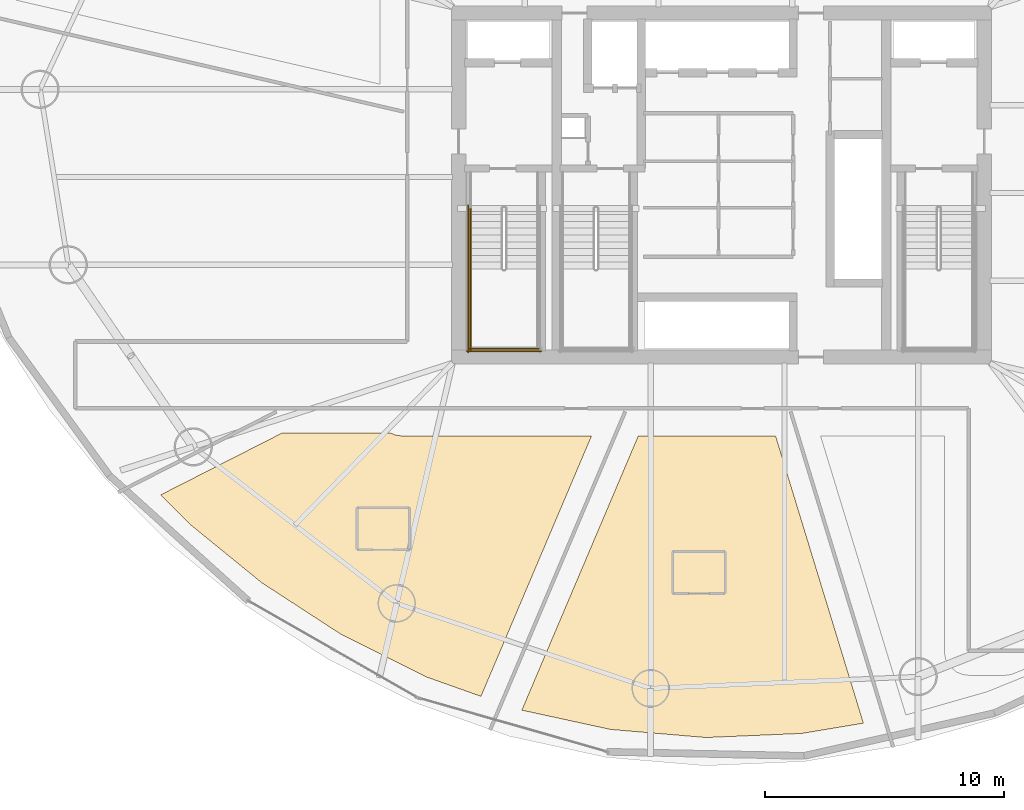
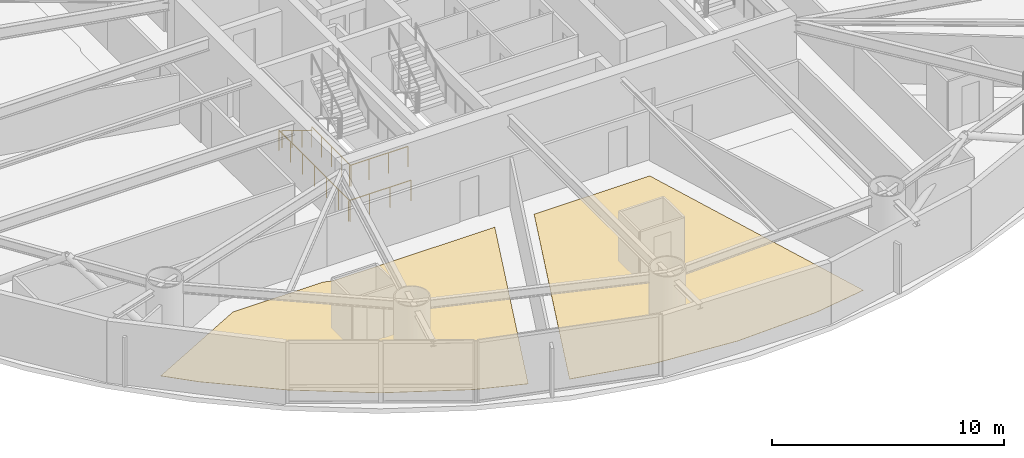
# One storey, part 20 of 23: 5 railings, 2 coverings.
"""IFC4 building model written with IfcOpenShell, lengths in metres."""

from ifc_helpers import new_model, si_unit, direction, frame, origin, origin_2d, place, context, subcontext, project, spatial, polyline, circle, outline, extrude, material, layer, layer_set, type_object, element, save


model = new_model("IFC4")

# Units and contexts
model_context = context("Model", 3, precision=1e-05, world=origin(), true_north=direction((0.0, 1.0)))
body_context = subcontext(model_context, "Body", "Model", "MODEL_VIEW")
ifc_project = project(units=[si_unit("LENGTHUNIT", "METRE"), si_unit("AREAUNIT", "SQUARE_METRE"), si_unit("VOLUMEUNIT", "CUBIC_METRE"), si_unit("PLANEANGLEUNIT", "RADIAN"), si_unit("MASSUNIT", "GRAM", prefix="KILO")], contexts=[model_context])

# Site, building, storey
site_placement = place(None, origin())
site = spatial("IfcSite", under=ifc_project, at=site_placement, CompositionType="ELEMENT")
building_placement = place(site_placement, origin())
building = spatial("IfcBuilding", under=site, at=building_placement, Name="Bramvorn Convention Spire", CompositionType="ELEMENT")
storey_placement = place(building_placement, frame((0.0, 0.0, 69.39990234375)))
storey = spatial("IfcBuildingStorey", under=building, at=storey_placement, Name="L15", CompositionType="ELEMENT", Elevation=69.39990234375)

# Coverings
ifc_material_1 = material(Name="Solution-Dyed Wool Broadloom Hospitality Carpet", Category="textile")
ifc_layer = layer(ifc_material_1, 0.014892578125)
ifc_layer_set = layer_set([ifc_layer], Name="Solution-Dyed Wool Broadloom Hospitality Carpet - FLR-CARPET-15")
covering_type = type_object("IfcCoveringType", Name="FLR-CARPET-15", PredefinedType="FLOORING", material=ifc_layer_set)
covering_1_placement = place(storey_placement, origin())
element("IfcCovering", 1, at=covering_1_placement, inside=storey, type_object=covering_type, Name="Hotel Suite 1506 wool broadloom carpet", PredefinedType="FLOORING", context=body_context, shape_type="SweptSolid", body=[
    extrude(outline(polyline([(25.663330078125, 5.404541015625), (27.937255859375, 4.596923828125), (32.565185546875, 15.5), (24.60009765625, 15.5), (24.338623046875, 15.538818359375), (24.13623046875, 15.6298828125), (19.630126953125, 15.6298828125), (14.525390625, 13.029052734375), (15.740966796875, 11.81201171875), (18.75830078125, 9.353759765625), (22.083251953125, 7.190673828125), (25.663330078125, 5.404541015625)])), origin(), (0.0, 0.0, 1.0), 0.01513671875),
])
covering_2_placement = place(storey_placement, origin())
element("IfcCovering", 2, at=covering_2_placement, inside=storey, type_object=covering_type, Name="Hotel Suite 1507 wool broadloom carpet", PredefinedType="FLOORING", context=body_context, shape_type="SweptSolid", body=[
    extrude(outline(polyline([(33.3603515625, 3.211181640625), (37.355712890625, 2.872802734375), (41.362060546875, 3.044189453125), (43.946044921875, 3.472900390625), (40.26904296875, 15.5), (34.520751953125, 15.5), (29.64697265625, 4.01806640625), (33.3603515625, 3.211181640625)])), origin(), (0.0, 0.0, 1.0), 0.01513671875),
])

# Railings
ifc_material_2 = material(Name="Painted Steel Balustrade & Guardrail", Category="steel")
railing_type_1 = type_object("IfcRailingType", Name="RL-STAIR-GUARD-1100", PredefinedType="GUARDRAIL", material=ifc_material_2)
railing_1_placement = place(storey_placement, frame((27.5, 22.485107421875, 1.75)))
element("IfcRailing", 3, at=railing_1_placement, inside=storey, type_object=railing_type_1, Name="L15 ST1 stair guard 3", PredefinedType="GUARDRAIL", context=body_context, shape_type="SweptSolid", body=[
    extrude(circle(Radius=0.02392578125, at=origin_2d()), frame((0.0, 0.0, 1.076171875), z_axis=(0.0, -1.0, 0.0), x_axis=(1.0, 0.0, 0.0)), (0.0, 0.0, 1.0), 3.385009765625),
    extrude(circle(Radius=0.02099609375, at=origin_2d()), origin(), (0.0, 0.0, 1.0), 1.052001953125),
    extrude(circle(Radius=0.02099609375, at=origin_2d()), frame((0.0, -0.84619140625, 0.0)), (0.0, 0.0, 1.0), 1.052001953125),
    extrude(circle(Radius=0.02099609375, at=origin_2d()), frame((0.0, -1.6923828125, 0.0)), (0.0, 0.0, 1.0), 1.052001953125),
    extrude(circle(Radius=0.02099609375, at=origin_2d()), frame((0.0, -2.538818359375, 0.0)), (0.0, 0.0, 1.0), 1.052001953125),
    extrude(circle(Radius=0.02099609375, at=origin_2d()), frame((0.0, -3.385009765625, 0.0)), (0.0, 0.0, 1.0), 1.052001953125),
])
railing_2_placement = place(storey_placement, frame((27.449951171875, 19.14990234375, 1.75)))
element("IfcRailing", 4, at=railing_2_placement, inside=storey, type_object=railing_type_1, Name="L15 ST1 stair guard 5", PredefinedType="GUARDRAIL", context=body_context, shape_type="SweptSolid", body=[
    extrude(circle(Radius=0.02392578125, at=origin_2d()), frame((0.0, 0.0, 1.076171875), z_axis=(1.0, 0.0, 0.0), x_axis=(0.0, 1.0, 0.0)), (0.0, 0.0, 1.0), 2.900146484375),
    extrude(circle(Radius=0.02099609375, at=origin_2d()), origin(), (0.0, 0.0, 1.0), 1.052001953125),
    extrude(circle(Radius=0.02099609375, at=origin_2d()), frame((0.966796875, 0.0, 0.0)), (0.0, 0.0, 1.0), 1.052001953125),
    extrude(circle(Radius=0.02099609375, at=origin_2d()), frame((1.933349609375, 0.0, 0.0)), (0.0, 0.0, 1.0), 1.052001953125),
    extrude(circle(Radius=0.02099609375, at=origin_2d()), frame((2.900146484375, 0.0, 0.0)), (0.0, 0.0, 1.0), 1.052001953125),
])
railing_3_placement = place(storey_placement, frame((27.39990234375, 25.14990234375, 0.0)))
element("IfcRailing", 5, at=railing_3_placement, inside=storey, type_object=railing_type_1, Name="L15 ST1 stair guard 10", PredefinedType="GUARDRAIL", context=body_context, shape_type="SweptSolid", body=[
    extrude(circle(Radius=0.02392578125, at=origin_2d()), frame((0.0, 0.0, 1.076171875), z_axis=(0.0, -1.0, 0.0), x_axis=(1.0, 0.0, 0.0)), (0.0, 0.0, 1.0), 6.14990234375),
    extrude(circle(Radius=0.02099609375, at=origin_2d()), origin(), (0.0, 0.0, 1.0), 1.052001953125),
    extrude(circle(Radius=0.02099609375, at=origin_2d()), frame((0.0, -1.02490234375, 0.0)), (0.0, 0.0, 1.0), 1.052001953125),
    extrude(circle(Radius=0.02099609375, at=origin_2d()), frame((0.0, -2.050048828125, 0.0)), (0.0, 0.0, 1.0), 1.052001953125),
    extrude(circle(Radius=0.02099609375, at=origin_2d()), frame((0.0, -3.074951171875, 0.0)), (0.0, 0.0, 1.0), 1.052001953125),
    extrude(circle(Radius=0.02099609375, at=origin_2d()), frame((0.0, -4.099853515625, 0.0)), (0.0, 0.0, 1.0), 1.052001953125),
    extrude(circle(Radius=0.02099609375, at=origin_2d()), frame((0.0, -5.125, 0.0)), (0.0, 0.0, 1.0), 1.052001953125),
    extrude(circle(Radius=0.02099609375, at=origin_2d()), frame((0.0, -6.14990234375, 0.0)), (0.0, 0.0, 1.0), 1.052001953125),
])
railing_4_placement = place(storey_placement, frame((27.35009765625, 19.050048828125, 0.0)))
element("IfcRailing", 6, at=railing_4_placement, inside=storey, type_object=railing_type_1, Name="L15 ST1 stair guard 12", PredefinedType="GUARDRAIL", context=body_context, shape_type="SweptSolid", body=[
    extrude(circle(Radius=0.02392578125, at=origin_2d()), frame((0.0, 0.0, 1.076171875), z_axis=(1.0, 0.0, 0.0), x_axis=(0.0, 1.0, 0.0)), (0.0, 0.0, 1.0), 3.099853515625),
    extrude(circle(Radius=0.02099609375, at=origin_2d()), origin(), (0.0, 0.0, 1.0), 1.052001953125),
    extrude(circle(Radius=0.02099609375, at=origin_2d()), frame((1.033203125, 0.0, 0.0)), (0.0, 0.0, 1.0), 1.052001953125),
    extrude(circle(Radius=0.02099609375, at=origin_2d()), frame((2.066650390625, 0.0, 0.0)), (0.0, 0.0, 1.0), 1.052001953125),
    extrude(circle(Radius=0.02099609375, at=origin_2d()), frame((3.099853515625, 0.0, 0.0)), (0.0, 0.0, 1.0), 1.052001953125),
])
ifc_material_3 = material(Name="Brushed Bronze Tubular Handrail", Category="aluminium")
railing_type_2 = type_object("IfcRailingType", Name="RL-STAIR-HR-920", PredefinedType="HANDRAIL", material=ifc_material_3)
railing_5_placement = place(storey_placement, frame((27.5, 25.050048828125, 0.175048828125)))
element("IfcRailing", 7, at=railing_5_placement, inside=storey, type_object=railing_type_2, Name="L15 ST1 stair handrail 1", PredefinedType="HANDRAIL", context=body_context, shape_type="SweptSolid", body=[
    extrude(circle(Radius=0.02392578125, at=origin_2d()), frame((0.0, 0.0, 0.89599609375), z_axis=(0.0, -0.852173129349, 0.523259933127), x_axis=(1.0, 0.0, 0.0)), (0.0, 0.0, 1.0), 3.009765625),
    extrude(circle(Radius=0.02099609375, at=origin_2d()), origin(), (0.0, 0.0, 1.0), 0.871826171875),
    extrude(circle(Radius=0.02099609375, at=origin_2d()), frame((0.0, -0.85498046875, 0.52490234375)), (0.0, 0.0, 1.0), 0.871826171875),
    extrude(circle(Radius=0.02099609375, at=origin_2d()), frame((0.0, -1.7099609375, 1.050048828125)), (0.0, 0.0, 1.0), 0.871826171875),
    extrude(circle(Radius=0.02099609375, at=origin_2d()), frame((0.0, -2.56494140625, 1.574951171875)), (0.0, 0.0, 1.0), 0.871826171875),
])

save(model, "model.ifc")
